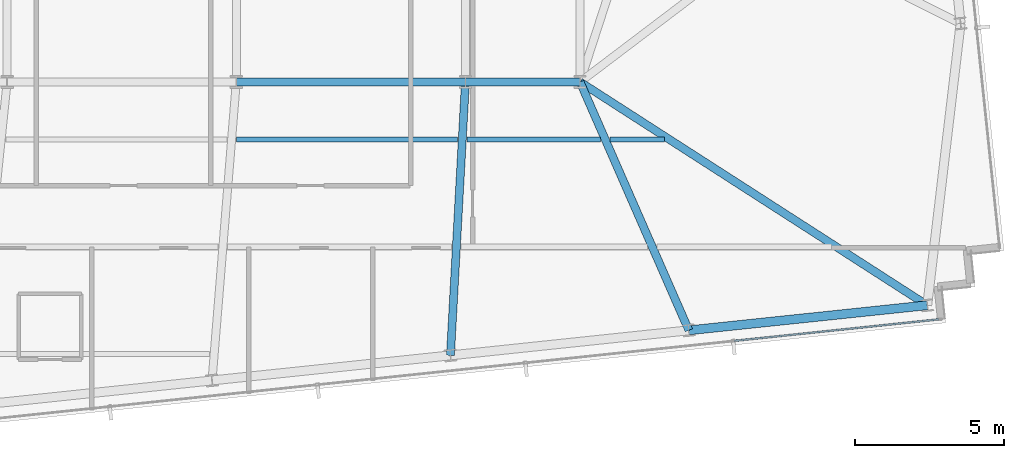
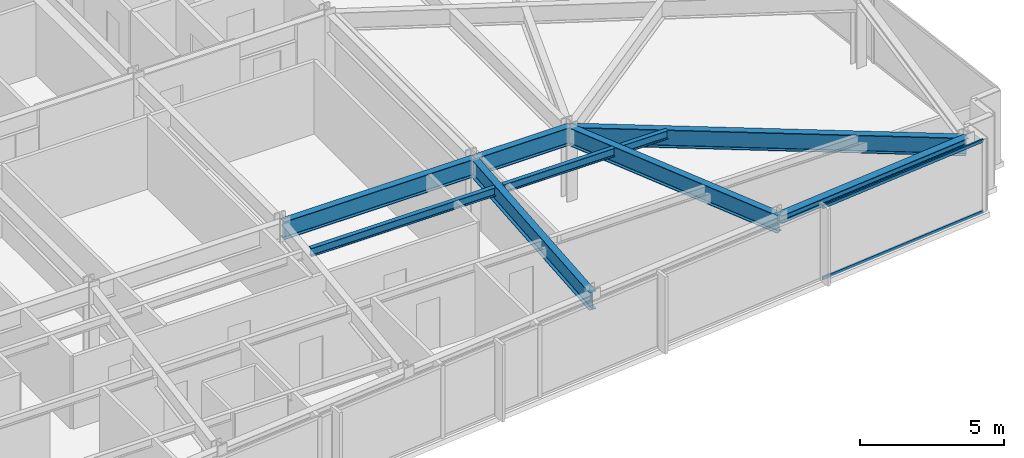
# One storey, part 16 of 32: 9 beams, 2 members, 1 element without a shape of its own.
"""IFC4 building model written with IfcOpenShell, lengths in metres."""

from ifc_helpers import new_model, si_unit, direction, frame, origin, origin_2d, place, context, subcontext, project, spatial, hollow_rectangle, i_section, extrude, material, material_profile, profile_set, type_object, element, aggregate, save


model = new_model("IFC4")

# Units and contexts
model_context = context("Model", 3, precision=1e-05, world=origin(), true_north=direction((0.0, 1.0)))
body_context = subcontext(model_context, "Body", "Model", "MODEL_VIEW")
ifc_project = project(units=[si_unit("LENGTHUNIT", "METRE"), si_unit("AREAUNIT", "SQUARE_METRE"), si_unit("VOLUMEUNIT", "CUBIC_METRE"), si_unit("PLANEANGLEUNIT", "RADIAN"), si_unit("MASSUNIT", "GRAM", prefix="KILO")], contexts=[model_context])

# Site, building, storey
site_placement = place(None, origin())
site = spatial("IfcSite", under=ifc_project, at=site_placement, CompositionType="ELEMENT")
building_placement = place(site_placement, origin())
building = spatial("IfcBuilding", under=site, at=building_placement, Name="Yelkora Congress Tower", CompositionType="ELEMENT")
storey_placement = place(building_placement, frame((0.0, 0.0, 211.10009765625)))
storey = spatial("IfcBuildingStorey", under=building, at=storey_placement, Name="L58", CompositionType="ELEMENT", Elevation=211.10009765625)

# Beams
ifc_material_1 = material(Name="Steel S355J2", Category="steel")
ifc_material_profile_1 = material_profile(ifc_material_1, i_section(OverallWidth=0.26708984375, OverallDepth=0.761962890625, WebThickness=0.014404296875, FlangeThickness=0.021484375, FilletRadius=0.01708984375, at=origin_2d()), Name="IPE 750x173")
ifc_profile_set_1 = profile_set([ifc_material_profile_1], Name="Steel S355J2")
beam_type_1 = type_object("IfcBeamType", Name="BM-GIRD-IPE750", PredefinedType="BEAM", material=ifc_profile_set_1)
beam_1_placement = place(storey_placement, frame((46.080078125, 25.199951171875, 2.698974609375), z_axis=(1.0, 0.0, 0.0), x_axis=(0.0, 1.0, 0.0)))
element("IfcBeam", 1, at=beam_1_placement, inside=storey, type_object=beam_type_1, Name="L58 Spine Grid D Girder 5", PredefinedType="BEAM", context=body_context, shape_type="SweptSolid", body=[
    extrude(i_section(OverallWidth=0.26708984375, OverallDepth=0.761962890625, WebThickness=0.014404296875, FlangeThickness=0.021484375, FilletRadius=0.01708984375, at=origin_2d()), origin(), (0.0, 0.0, 1.0), 7.679931640625),
])
beam_2_placement = place(storey_placement, frame((53.760009765625, 25.199951171875, 2.698974609375), z_axis=(1.0, 0.0, 0.0), x_axis=(0.0, 1.0, 0.0)))
element("IfcBeam", 2, at=beam_2_placement, inside=storey, type_object=beam_type_1, Name="L58 Spine Grid D Girder 6", PredefinedType="BEAM", context=body_context, shape_type="SweptSolid", body=[
    extrude(i_section(OverallWidth=0.26708984375, OverallDepth=0.761962890625, WebThickness=0.014404296875, FlangeThickness=0.021484375, FilletRadius=0.01708984375, at=origin_2d()), origin(), (0.0, 0.0, 1.0), 3.840087890625),
])
beam_3_placement = place(storey_placement, frame((53.25634765625, 16.037353515625, 2.698974609375), z_axis=(0.054886497042, 0.998492600094, 0.0), x_axis=(-0.998492600094, 0.054886497042, 0.0)))
element("IfcBeam", 3, at=beam_3_placement, inside=storey, type_object=beam_type_1, Name="L58 Primary Frame Girder S05", PredefinedType="BEAM", context=body_context, shape_type="SweptSolid", body=[
    extrude(i_section(OverallWidth=0.26708984375, OverallDepth=0.761962890625, WebThickness=0.014404296875, FlangeThickness=0.021484375, FilletRadius=0.01708984375, at=origin_2d()), origin(), (0.0, 0.0, 1.0), 9.176513671875),
])
beam_4_placement = place(storey_placement, frame((61.24560546875, 16.877197265625, 2.698974609375), z_axis=(-0.401216289608, 0.915983345347, 0.0), x_axis=(-0.915983345347, -0.401216289608, 0.0)))
element("IfcBeam", 4, at=beam_4_placement, inside=storey, type_object=beam_type_1, Name="L58 Primary Frame Girder S06", PredefinedType="BEAM", context=body_context, shape_type="SweptSolid", body=[
    extrude(i_section(OverallWidth=0.26708984375, OverallDepth=0.761962890625, WebThickness=0.014404296875, FlangeThickness=0.021484375, FilletRadius=0.01708984375, at=origin_2d()), origin(), (0.0, 0.0, 1.0), 9.086181640625),
])
beam_5_placement = place(storey_placement, frame((69.235107421875, 17.716796875, 2.698974609375), z_axis=(-0.841063201017, 0.54093686498, 0.0), x_axis=(-0.54093686498, -0.841063201017, 0.0)))
element("IfcBeam", 5, at=beam_5_placement, inside=storey, type_object=beam_type_1, Name="L58 Primary Frame Girder S07", PredefinedType="BEAM", context=body_context, shape_type="SweptSolid", body=[
    extrude(i_section(OverallWidth=0.26708984375, OverallDepth=0.761962890625, WebThickness=0.014404296875, FlangeThickness=0.021484375, FilletRadius=0.01708984375, at=origin_2d()), origin(), (0.0, 0.0, 1.0), 13.833740234375),
])
ifc_material_profile_2 = material_profile(ifc_material_1, i_section(OverallWidth=0.169921875, OverallDepth=0.360107421875, WebThickness=0.008056640625, FlangeThickness=0.0126953125, FilletRadius=0.01806640625, at=origin_2d()), Name="IPE 360")
ifc_profile_set_2 = profile_set([ifc_material_profile_2], Name="Steel S355J2")
beam_type_2 = type_object("IfcBeamType", Name="BM-JOIST-IPE360", PredefinedType="JOIST", material=ifc_profile_set_2)
beam_6_placement = place(storey_placement, frame((46.083740234375, 23.278564453125, 2.89990234375), z_axis=(1.0, 0.0, 0.0), x_axis=(0.0, 1.0, 0.0)))
element("IfcBeam", 6, at=beam_6_placement, inside=storey, type_object=beam_type_2, Name="L58 Composite Floor Joist 12", PredefinedType="JOIST", context=body_context, shape_type="SweptSolid", body=[
    extrude(i_section(OverallWidth=0.169921875, OverallDepth=0.360107421875, WebThickness=0.008056640625, FlangeThickness=0.0126953125, FilletRadius=0.01806640625, at=origin_2d()), origin(), (0.0, 0.0, 1.0), 7.41064453125),
])
beam_7_placement = place(storey_placement, frame((53.814453125, 23.278564453125, 2.89990234375), z_axis=(1.0, 0.0, 0.0), x_axis=(0.0, 1.0, 0.0)))
element("IfcBeam", 7, at=beam_7_placement, inside=storey, type_object=beam_type_2, Name="L58 Composite Floor Joist 13", PredefinedType="JOIST", context=body_context, shape_type="SweptSolid", body=[
    extrude(i_section(OverallWidth=0.169921875, OverallDepth=0.360107421875, WebThickness=0.008056640625, FlangeThickness=0.0126953125, FilletRadius=0.01806640625, at=origin_2d()), origin(), (0.0, 0.0, 1.0), 4.46728515625),
])
beam_8_placement = place(storey_placement, frame((58.601806640625, 23.278564453125, 2.89990234375), z_axis=(1.0, 0.0, 0.0), x_axis=(0.0, 1.0, 0.0)))
element("IfcBeam", 8, at=beam_8_placement, inside=storey, type_object=beam_type_2, Name="L58 Composite Floor Joist 14", PredefinedType="JOIST", context=body_context, shape_type="SweptSolid", body=[
    extrude(i_section(OverallWidth=0.169921875, OverallDepth=0.360107421875, WebThickness=0.008056640625, FlangeThickness=0.0126953125, FilletRadius=0.01806640625, at=origin_2d()), origin(), (0.0, 0.0, 1.0), 1.82568359375),
])
ifc_material_profile_3 = material_profile(ifc_material_1, i_section(OverallWidth=0.300048828125, OverallDepth=0.340087890625, WebThickness=0.011962890625, FlangeThickness=0.021484375, FilletRadius=0.027099609375, at=origin_2d()), Name="HEB 340")
ifc_profile_set_3 = profile_set([ifc_material_profile_3], Name="Steel S355J2")
beam_type_3 = type_object("IfcBeamType", Name="BM-SPAN-HEB340", PredefinedType="SPANDREL", material=ifc_profile_set_3)
beam_9_placement = place(storey_placement, frame((61.24560546875, 16.877197265625, 2.909912109375), z_axis=(0.99452358891, 0.104512349038, 0.0), x_axis=(-0.104512349038, 0.99452358891, 0.0)))
element("IfcBeam", 9, at=beam_9_placement, inside=storey, type_object=beam_type_3, Name="L58 Perimeter Beam 8", PredefinedType="SPANDREL", context=body_context, shape_type="SweptSolid", body=[
    extrude(i_section(OverallWidth=0.300048828125, OverallDepth=0.340087890625, WebThickness=0.011962890625, FlangeThickness=0.021484375, FilletRadius=0.027099609375, at=origin_2d()), origin(), (0.0, 0.0, 1.0), 8.033447265625),
])

# Curtain wall, members
ifc_material_2 = material(Name="Anodised aluminium and insulated glass", Category="aluminium")
curtain_wall_type = type_object("IfcCurtainWallType", Name="CW-SYS-B4", PredefinedType="NOTDEFINED", material=ifc_material_2)
curtain_wall_placement = place(storey_placement, origin())
curtain_wall = element("IfcCurtainWall", 10, at=curtain_wall_placement, inside=storey, type_object=curtain_wall_type, Name="L58 Unitised Curtain Wall 20", PredefinedType="NOTDEFINED")
ifc_material_3 = material(Name="Anodised aluminium 6063-T6", Category="aluminium")
ifc_material_profile_4 = material_profile(ifc_material_3, hollow_rectangle(XDim=0.06005859375, YDim=0.1298828125, WallThickness=0.00390625, at=origin_2d()), Name="ALU 60x130x4")
ifc_profile_set_4 = profile_set([ifc_material_profile_4], Name="Anodised aluminium 6063-T6")
member_type = type_object("IfcMemberType", Name="MEM-TR-B4", PredefinedType="USERDEFINED", material=ifc_profile_set_4)
member_1_placement = place(storey_placement, frame((69.63134765625, 17.24560546875, 0.02978515625), z_axis=(-0.994523648539, -0.104511781616, 0.0), x_axis=(0.104511781616, -0.994523648539, 0.0)))
member_1 = element("IfcMember", 11, at=member_1_placement, type_object=member_type, Name="CW-B4 transom 1.1", ObjectType="TRANSOM", PredefinedType="USERDEFINED", context=body_context, shape_type="SweptSolid", body=[
    extrude(hollow_rectangle(XDim=0.06005859375, YDim=0.1298828125, WallThickness=0.00390625, at=origin_2d()), origin(), (0.0, 0.0, 1.0), 6.9052734375),
])
member_2_placement = place(storey_placement, frame((69.63134765625, 17.24560546875, 3.0498046875), z_axis=(-0.994523648539, -0.104511781616, 0.0), x_axis=(0.104511781616, -0.994523648539, 0.0)))
member_2 = element("IfcMember", 12, at=member_2_placement, type_object=member_type, Name="CW-B4 transom 1.2", ObjectType="TRANSOM", PredefinedType="USERDEFINED", context=body_context, shape_type="SweptSolid", body=[
    extrude(hollow_rectangle(XDim=0.06005859375, YDim=0.1298828125, WallThickness=0.00390625, at=origin_2d()), origin(), (0.0, 0.0, 1.0), 6.9052734375),
])
aggregate(curtain_wall, [member_1, member_2])

save(model, "model.ifc")
